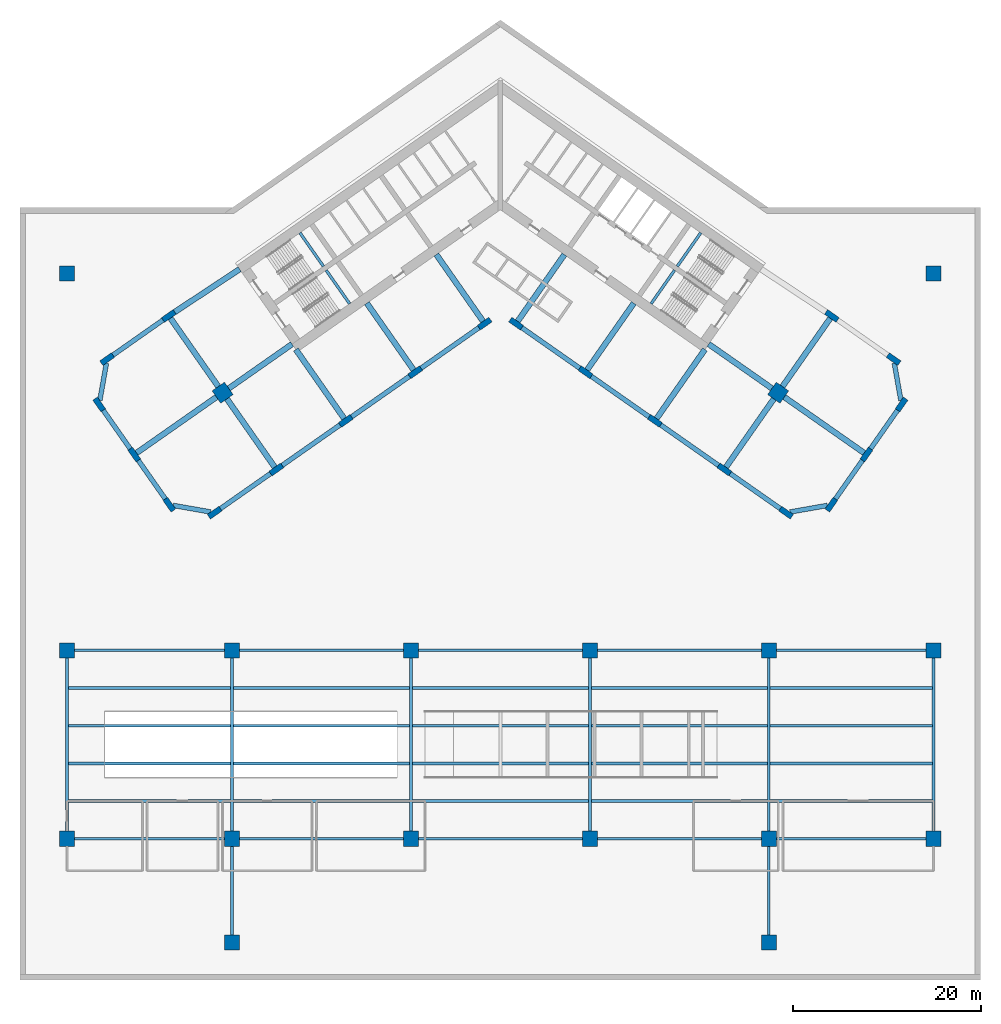
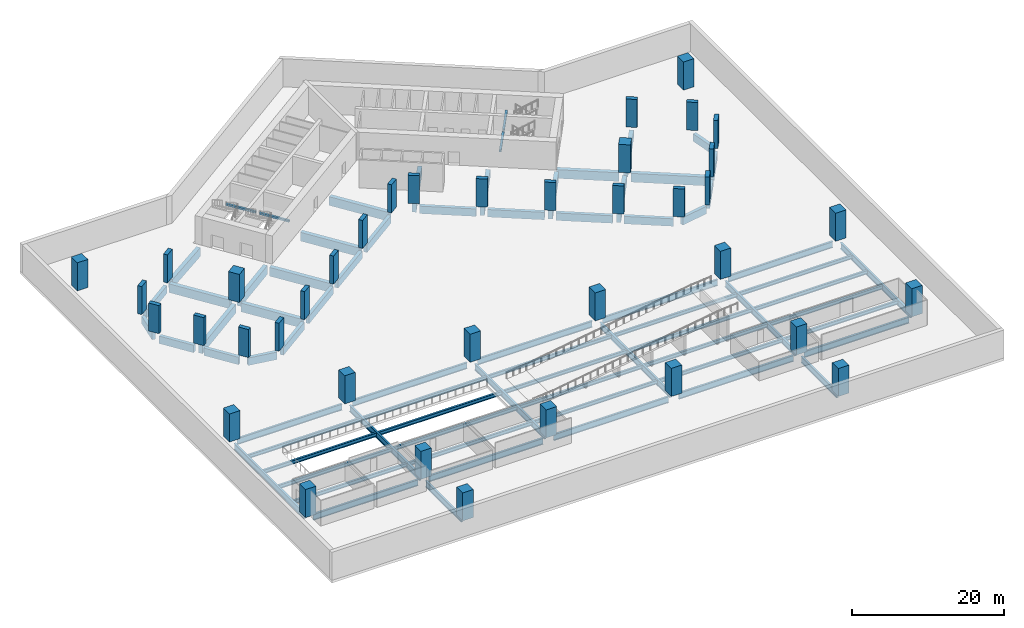
# One storey, part 1 of 11: 74 beams, 38 columns.
"""IFC4 building model written with IfcOpenShell, lengths in metres."""

from ifc_helpers import new_model, si_unit, direction, frame, origin, origin_2d, place, context, subcontext, project, spatial, rectangle, i_section, extrude, material, material_profile, profile_set, type_object, element, save


model = new_model("IFC4")

# Units and contexts
model_context = context("Model", 3, precision=1e-05, world=origin(), true_north=direction((0.0, 1.0)))
body_context = subcontext(model_context, "Body", "Model", "MODEL_VIEW")
ifc_project = project(units=[si_unit("LENGTHUNIT", "METRE"), si_unit("AREAUNIT", "SQUARE_METRE"), si_unit("VOLUMEUNIT", "CUBIC_METRE"), si_unit("PLANEANGLEUNIT", "RADIAN"), si_unit("MASSUNIT", "GRAM", prefix="KILO")], contexts=[model_context])

# Site, building, storey
site_placement = place(None, origin())
site = spatial("IfcSite", under=ifc_project, at=site_placement, CompositionType="ELEMENT")
building_placement = place(site_placement, origin())
building = spatial("IfcBuilding", under=site, at=building_placement, Name="Tel Ilan Convention Tower", CompositionType="ELEMENT")
storey_placement = place(building_placement, frame((0.0, 0.0, -4.5)))
storey = spatial("IfcBuildingStorey", under=building, at=storey_placement, Name="B1", CompositionType="ELEMENT", Elevation=-4.5)

# Columns
ifc_material_1 = material(Name="Concrete C60/75", Category="concrete")
ifc_material_profile_1 = material_profile(ifc_material_1, rectangle(XDim=1.60009765625, YDim=1.60009765625, at=origin_2d()), Name="RC 1600x1600")
ifc_profile_set_1 = profile_set([ifc_material_profile_1], Name="Concrete C60/75")
column_type_1 = type_object("IfcColumnType", Name="Column RC 1600x1600 C60/75", PredefinedType="COLUMN", material=ifc_profile_set_1)
for number, where, z_axis, x_axis, name in (
    (1, (-29.489501953125, -20.648681640625, 0.0), (0.0, 0.0, 1.0), (-0.819152044289, -0.573576436351, 0.0), "B1 column W-M4"),
    (2, (29.489501953125, -20.648681640625, 0.0), (0.0, 0.0, 1.0), (0.819152044289, -0.573576436351, 0.0), "B1 column E-M4"),
    (3, (-28.5, -79.0, 0.0), (0.0, 0.0, 1.0), (1.0, 0.0, 0.0), "B1 column PC12"),
    (4, (28.5, -79.0, 0.0), (0.0, 0.0, 1.0), (1.0, 0.0, 0.0), "B1 column PC15"),
    (5, (-46.0, -68.0, 0.0), (0.0, 0.0, 1.0), (1.0, 0.0, 0.0), "B1 column PC21"),
    (6, (-28.5, -68.0, 0.0), (0.0, 0.0, 1.0), (1.0, 0.0, 0.0), "B1 column PC22"),
    (7, (-9.5, -68.0, 0.0), (0.0, 0.0, 1.0), (1.0, 0.0, 0.0), "B1 column PC23"),
    (8, (9.5, -68.0, 0.0), (0.0, 0.0, 1.0), (1.0, 0.0, 0.0), "B1 column PC24"),
    (9, (28.5, -68.0, 0.0), (0.0, 0.0, 1.0), (1.0, 0.0, 0.0), "B1 column PC25"),
    (10, (46.0, -68.0, 0.0), (0.0, 0.0, 1.0), (1.0, 0.0, 0.0), "B1 column PC26"),
    (11, (-46.0, -48.0, 0.0), (0.0, 0.0, 1.0), (1.0, 0.0, 0.0), "B1 column PC31"),
    (12, (-28.5, -48.0, 0.0), (0.0, 0.0, 1.0), (1.0, 0.0, 0.0), "B1 column PC32"),
    (13, (-9.5, -48.0, 0.0), (0.0, 0.0, 1.0), (1.0, 0.0, 0.0), "B1 column PC33"),
    (14, (9.5, -48.0, 0.0), (0.0, 0.0, 1.0), (1.0, 0.0, 0.0), "B1 column PC34"),
    (15, (28.5, -48.0, 0.0), (0.0, 0.0, 1.0), (1.0, 0.0, 0.0), "B1 column PC35"),
    (16, (46.0, -48.0, 0.0), (0.0, 0.0, 1.0), (1.0, 0.0, 0.0), "B1 column PC36"),
    (17, (-46.0, -8.0, 0.0), (0.0, 0.0, 1.0), (1.0, 0.0, 0.0), "B1 column PC51"),
    (18, (46.0, -8.0, 0.0), (0.0, 0.0, 1.0), (1.0, 0.0, 0.0), "B1 column PC56"),
):
    element("IfcColumn", number, at=place(storey_placement, frame(where, z_axis=z_axis, x_axis=x_axis)), inside=storey, type_object=column_type_1, Name=name, PredefinedType="COLUMN", context=body_context, shape_type="SweptSolid", body=[
        extrude(rectangle(XDim=1.60009765625, YDim=1.60009765625, at=origin_2d()), origin(), (0.0, 0.0, 1.0), 4.5),
    ])
ifc_material_2 = material(Name="Concrete C60/75", Category="concrete")
ifc_material_profile_2 = material_profile(ifc_material_2, rectangle(XDim=1.5, YDim=0.60009765625, at=origin_2d()), Name="RC 600x1500")
ifc_profile_set_2 = profile_set([ifc_material_profile_2], Name="Concrete C60/75")
column_type_2 = type_object("IfcColumnType", Name="Column RC 600x1500 C60/75", PredefinedType="COLUMN", material=ifc_profile_set_2)
for number, where, z_axis, x_axis, name in (
    (19, (-1.665283203125, -13.312744140625, 0.0), (0.0, 0.0, 1.0), (-0.819152044289, -0.573576436351, 0.0), "B1 column W-F1"),
    (20, (-9.03759765625, -18.474853515625, 0.0), (0.0, 0.0, 1.0), (-0.819152044289, -0.573576436351, 0.0), "B1 column W-F2"),
    (21, (-16.409912109375, -23.63720703125, 0.0), (0.0, 0.0, 1.0), (-0.819152044289, -0.573576436351, 0.0), "B1 column W-F3"),
    (22, (-23.782470703125, -28.79931640625, 0.0), (0.0, 0.0, 1.0), (-0.819152044289, -0.573576436351, 0.0), "B1 column W-F4"),
    (23, (-30.335693359375, -33.387939453125, 0.0), (0.0, 0.0, 1.0), (-0.819152044289, -0.573576436351, 0.0), "B1 column W-FC"),
    (24, (-35.196533203125, -12.498291015625, 0.0), (0.0, 0.0, 1.0), (-0.819152044289, -0.573576436351, 0.0), "B1 column W-B4"),
    (25, (-41.749755859375, -17.0869140625, 0.0), (0.0, 0.0, 1.0), (-0.819152044289, -0.573576436351, 0.0), "B1 column W-BC"),
    (26, (-35.140380859375, -32.540771484375, 0.0), (0.0, 0.0, 1.0), (-0.573576436351, 0.819152044289, 0.0), "B1 column W-E1"),
    (27, (-38.868896484375, -27.21630859375, 0.0), (0.0, 0.0, 1.0), (-0.573576436351, 0.819152044289, 0.0), "B1 column W-E2"),
    (28, (-42.596923828125, -21.8916015625, 0.0), (0.0, 0.0, 1.0), (-0.573576436351, 0.819152044289, 0.0), "B1 column W-E3"),
    (29, (1.665283203125, -13.312744140625, 0.0), (0.0, 0.0, 1.0), (0.819152044289, -0.573576436351, 0.0), "B1 column E-F1"),
    (30, (9.03759765625, -18.474853515625, 0.0), (0.0, 0.0, 1.0), (0.819152044289, -0.573576436351, 0.0), "B1 column E-F2"),
    (31, (16.409912109375, -23.63720703125, 0.0), (0.0, 0.0, 1.0), (0.819152044289, -0.573576436351, 0.0), "B1 column E-F3"),
    (32, (23.782470703125, -28.79931640625, 0.0), (0.0, 0.0, 1.0), (0.819152044289, -0.573576436351, 0.0), "B1 column E-F4"),
    (33, (30.335693359375, -33.387939453125, 0.0), (0.0, 0.0, 1.0), (0.819152044289, -0.573576436351, 0.0), "B1 column E-FC"),
    (34, (35.196533203125, -12.498291015625, 0.0), (0.0, 0.0, 1.0), (0.819152044289, -0.573576436351, 0.0), "B1 column E-B4"),
    (35, (41.749755859375, -17.0869140625, 0.0), (0.0, 0.0, 1.0), (0.819152044289, -0.573576436351, 0.0), "B1 column E-BC"),
    (36, (35.140380859375, -32.540771484375, 0.0), (0.0, 0.0, 1.0), (0.573576436351, 0.819152044289, 0.0), "B1 column E-E1"),
    (37, (38.868896484375, -27.21630859375, 0.0), (0.0, 0.0, 1.0), (0.573576436351, 0.819152044289, 0.0), "B1 column E-E2"),
    (38, (42.596923828125, -21.8916015625, 0.0), (0.0, 0.0, 1.0), (0.573576436351, 0.819152044289, 0.0), "B1 column E-E3"),
):
    element("IfcColumn", number, at=place(storey_placement, frame(where, z_axis=z_axis, x_axis=x_axis)), inside=storey, type_object=column_type_2, Name=name, PredefinedType="COLUMN", context=body_context, shape_type="SweptSolid", body=[
        extrude(rectangle(XDim=1.5, YDim=0.60009765625, at=origin_2d()), origin(), (0.0, 0.0, 1.0), 4.5),
    ])

# Beams
ifc_material_3 = material(Name="Concrete C40/50", Category="concrete")
ifc_material_profile_3 = material_profile(ifc_material_3, rectangle(XDim=0.5, YDim=1.199951171875, at=origin_2d()), Name="RC 500x1200")
ifc_profile_set_3 = profile_set([ifc_material_profile_3], Name="Concrete C40/50")
beam_type_1 = type_object("IfcBeamType", Name="Beam RC 500x1200 Concrete C40/50", PredefinedType="BEAM", material=ifc_profile_set_3)
beam_1_placement = place(storey_placement, frame((-2.279541015625, -13.742919921875, -1.010009765625), z_axis=(-0.819147803225, -0.57358249317, 0.0), x_axis=(0.57358249317, -0.819147803225, 0.0)))
element("IfcBeam", 39, at=beam_1_placement, inside=storey, type_object=beam_type_1, Name="B1 beam W-W-F1-W-F2", PredefinedType="BEAM", context=body_context, shape_type="SweptSolid", body=[
    extrude(rectangle(XDim=0.5, YDim=1.199951171875, at=origin_2d()), origin(), (0.0, 0.0, 1.0), 7.500244140625),
])
for number, where, z_axis, x_axis, name in (
    (40, (-9.652099609375, -18.905029296875, -1.010009765625), (-0.81915238829, -0.573575945067, 0.0), (0.573575945067, -0.81915238829, 0.0), "B1 beam W-W-F2-W-F3"),
    (41, (-17.0244140625, -24.0673828125, -1.010009765625), (-0.81915238829, -0.573575945067, 0.0), (0.573575945067, -0.81915238829, 0.0), "B1 beam W-W-F3-W-F4"),
):
    element("IfcBeam", number, at=place(storey_placement, frame(where, z_axis=z_axis, x_axis=x_axis)), inside=storey, type_object=beam_type_1, Name=name, PredefinedType="BEAM", context=body_context, shape_type="SweptSolid", body=[
        extrude(rectangle(XDim=0.5, YDim=1.199951171875, at=origin_2d()), origin(), (0.0, 0.0, 1.0), 7.5),
    ])
beam_2_placement = place(storey_placement, frame((-24.396728515625, -29.2294921875, -1.010009765625), z_axis=(-0.819148977158, -0.573580816643, 0.0), x_axis=(0.573580816643, -0.819148977158, 0.0)))
element("IfcBeam", 42, at=beam_2_placement, inside=storey, type_object=beam_type_1, Name="B1 beam W-W-F4-W-FC", PredefinedType="BEAM", context=body_context, shape_type="SweptSolid", body=[
    extrude(rectangle(XDim=0.5, YDim=1.199951171875, at=origin_2d()), origin(), (0.0, 0.0, 1.0), 6.5),
])
beam_3_placement = place(storey_placement, frame((-30.75341796875, -33.314208984375, -1.010009765625), z_axis=(-0.984815252405, 0.173605641124, 0.0), x_axis=(-0.173605641124, -0.984815252405, 0.0)))
element("IfcBeam", 43, at=beam_3_placement, inside=storey, type_object=beam_type_1, Name="B1 beam W-W-FC-W-E1", PredefinedType="BEAM", context=body_context, shape_type="SweptSolid", body=[
    extrude(rectangle(XDim=0.5, YDim=1.199951171875, at=origin_2d()), origin(), (0.0, 0.0, 1.0), 4.030517578125),
])
for number, where, z_axis, x_axis, name in (
    (44, (-35.57080078125, -31.92626953125, -1.010009765625), (-0.573586866468, 0.819144740944, 0.0), (-0.819144740944, -0.573586866468, 0.0), "B1 beam W-W-E1-W-E2"),
    (45, (-39.298828125, -26.601806640625, -1.010009765625), (-0.573586866468, 0.819144740944, 0.0), (-0.819144740944, -0.573586866468, 0.0), "B1 beam W-W-E2-W-E3"),
):
    element("IfcBeam", number, at=place(storey_placement, frame(where, z_axis=z_axis, x_axis=x_axis)), inside=storey, type_object=beam_type_1, Name=name, PredefinedType="BEAM", context=body_context, shape_type="SweptSolid", body=[
        extrude(rectangle(XDim=0.5, YDim=1.199951171875, at=origin_2d()), origin(), (0.0, 0.0, 1.0), 5.0),
    ])
beam_4_placement = place(storey_placement, frame((-42.523193359375, -21.473876953125, -1.010009765625), z_axis=(0.173605641124, 0.984815252405, 0.0), x_axis=(-0.984815252405, 0.173605641124, 0.0)))
element("IfcBeam", 46, at=beam_4_placement, inside=storey, type_object=beam_type_1, Name="B1 beam W-W-E3-W-BC", PredefinedType="BEAM", context=body_context, shape_type="SweptSolid", body=[
    extrude(rectangle(XDim=0.5, YDim=1.199951171875, at=origin_2d()), origin(), (0.0, 0.0, 1.0), 4.030517578125),
])
beam_5_placement = place(storey_placement, frame((-41.135498046875, -16.656494140625, -1.010009765625), z_axis=(0.819178980414, 0.573537965655, 0.0), x_axis=(-0.573537965655, 0.819178980414, 0.0)))
element("IfcBeam", 47, at=beam_5_placement, inside=storey, type_object=beam_type_1, Name="B1 beam W-W-BC-W-B4", PredefinedType="BEAM", context=body_context, shape_type="SweptSolid", body=[
    extrude(rectangle(XDim=0.5, YDim=1.199951171875, at=origin_2d()), origin(), (0.0, 0.0, 1.0), 6.5),
])
beam_6_placement = place(storey_placement, frame((2.279541015625, -13.742919921875, -1.010009765625), z_axis=(0.819147803225, -0.57358249317, 0.0), x_axis=(0.57358249317, 0.819147803225, 0.0)))
element("IfcBeam", 48, at=beam_6_placement, inside=storey, type_object=beam_type_1, Name="B1 beam E-E-F1-E-F2", PredefinedType="BEAM", context=body_context, shape_type="SweptSolid", body=[
    extrude(rectangle(XDim=0.5, YDim=1.199951171875, at=origin_2d()), origin(), (0.0, 0.0, 1.0), 7.500244140625),
])
for number, where, z_axis, x_axis, name in (
    (49, (9.652099609375, -18.905029296875, -1.010009765625), (0.81915238829, -0.573575945067, 0.0), (0.573575945067, 0.81915238829, 0.0), "B1 beam E-E-F2-E-F3"),
    (50, (17.0244140625, -24.0673828125, -1.010009765625), (0.81915238829, -0.573575945067, 0.0), (0.573575945067, 0.81915238829, 0.0), "B1 beam E-E-F3-E-F4"),
):
    element("IfcBeam", number, at=place(storey_placement, frame(where, z_axis=z_axis, x_axis=x_axis)), inside=storey, type_object=beam_type_1, Name=name, PredefinedType="BEAM", context=body_context, shape_type="SweptSolid", body=[
        extrude(rectangle(XDim=0.5, YDim=1.199951171875, at=origin_2d()), origin(), (0.0, 0.0, 1.0), 7.5),
    ])
beam_7_placement = place(storey_placement, frame((24.396728515625, -29.2294921875, -1.010009765625), z_axis=(0.819148977158, -0.573580816643, 0.0), x_axis=(0.573580816643, 0.819148977158, 0.0)))
element("IfcBeam", 51, at=beam_7_placement, inside=storey, type_object=beam_type_1, Name="B1 beam E-E-F4-E-FC", PredefinedType="BEAM", context=body_context, shape_type="SweptSolid", body=[
    extrude(rectangle(XDim=0.5, YDim=1.199951171875, at=origin_2d()), origin(), (0.0, 0.0, 1.0), 6.5),
])
beam_8_placement = place(storey_placement, frame((30.75341796875, -33.314208984375, -1.010009765625), z_axis=(0.984815252405, 0.173605641124, 0.0), x_axis=(-0.173605641124, 0.984815252405, 0.0)))
element("IfcBeam", 52, at=beam_8_placement, inside=storey, type_object=beam_type_1, Name="B1 beam E-E-FC-E-E1", PredefinedType="BEAM", context=body_context, shape_type="SweptSolid", body=[
    extrude(rectangle(XDim=0.5, YDim=1.199951171875, at=origin_2d()), origin(), (0.0, 0.0, 1.0), 4.030517578125),
])
for number, where, z_axis, x_axis, name in (
    (53, (35.57080078125, -31.92626953125, -1.010009765625), (0.573586866468, 0.819144740944, 0.0), (-0.819144740944, 0.573586866468, 0.0), "B1 beam E-E-E1-E-E2"),
    (54, (39.298828125, -26.601806640625, -1.010009765625), (0.573586866468, 0.819144740944, 0.0), (-0.819144740944, 0.573586866468, 0.0), "B1 beam E-E-E2-E-E3"),
):
    element("IfcBeam", number, at=place(storey_placement, frame(where, z_axis=z_axis, x_axis=x_axis)), inside=storey, type_object=beam_type_1, Name=name, PredefinedType="BEAM", context=body_context, shape_type="SweptSolid", body=[
        extrude(rectangle(XDim=0.5, YDim=1.199951171875, at=origin_2d()), origin(), (0.0, 0.0, 1.0), 5.0),
    ])
beam_9_placement = place(storey_placement, frame((42.523193359375, -21.473876953125, -1.010009765625), z_axis=(-0.173605641124, 0.984815252405, 0.0), x_axis=(-0.984815252405, -0.173605641124, 0.0)))
element("IfcBeam", 55, at=beam_9_placement, inside=storey, type_object=beam_type_1, Name="B1 beam E-E-E3-E-BC", PredefinedType="BEAM", context=body_context, shape_type="SweptSolid", body=[
    extrude(rectangle(XDim=0.5, YDim=1.199951171875, at=origin_2d()), origin(), (0.0, 0.0, 1.0), 4.030517578125),
])
ifc_material_4 = material(Name="Concrete C40/50", Category="concrete")
ifc_material_profile_4 = material_profile(ifc_material_4, rectangle(XDim=0.60009765625, YDim=1.39990234375, at=origin_2d()), Name="RC 600x1400")
ifc_profile_set_4 = profile_set([ifc_material_profile_4], Name="Concrete C40/50")
beam_type_2 = type_object("IfcBeamType", Name="Beam RC 600x1400 Concrete C40/50", PredefinedType="BEAM", material=ifc_profile_set_4)
beam_10_placement = place(storey_placement, frame((-34.570556640625, -12.08447265625, -1.110107421875), z_axis=(0.834273603487, 0.551350663847, 0.0), x_axis=(-0.551350663847, 0.834273603487, 0.0)))
element("IfcBeam", 56, at=beam_10_placement, inside=storey, type_object=beam_type_2, Name="B1 beam W-W-B4-core", PredefinedType="BEAM", context=body_context, shape_type="SweptSolid", body=[
    extrude(rectangle(XDim=0.60009765625, YDim=1.39990234375, at=origin_2d()), origin(), (0.0, 0.0, 1.0), 8.2529296875),
])
for number, where, z_axis, x_axis, name in (
    (57, (-1.83740234375, -13.06689453125, -1.110107421875), (-0.573574099654, 0.819153680457, 0.0), (-0.819153680457, -0.573574099654, 0.0), "B1 beam W-W-F1-core"),
    (58, (-9.209716796875, -18.229248046875, -1.110107421875), (-0.573574099654, 0.819153680457, 0.0), (-0.819153680457, -0.573574099654, 0.0), "B1 beam W-W-F2-core"),
):
    element("IfcBeam", number, at=place(storey_placement, frame(where, z_axis=z_axis, x_axis=x_axis)), inside=storey, type_object=beam_type_2, Name=name, PredefinedType="BEAM", context=body_context, shape_type="SweptSolid", body=[
        extrude(rectangle(XDim=0.60009765625, YDim=1.39990234375, at=origin_2d()), origin(), (0.0, 0.0, 1.0), 8.64990234375),
    ])
beam_11_placement = place(storey_placement, frame((-16.58203125, -23.391357421875, -1.110107421875), z_axis=(-0.573584999642, 0.819146048141, 0.0), x_axis=(-0.819146048141, -0.573584999642, 0.0)))
element("IfcBeam", 59, at=beam_11_placement, inside=storey, type_object=beam_type_2, Name="B1 beam W-W-F3-core", PredefinedType="BEAM", context=body_context, shape_type="SweptSolid", body=[
    extrude(rectangle(XDim=0.60009765625, YDim=1.39990234375, at=origin_2d()), origin(), (0.0, 0.0, 1.0), 8.949951171875),
])
beam_12_placement = place(storey_placement, frame((-22.1171875, -15.486572265625, -1.110107421875), z_axis=(-0.819149386388, -0.573580232209, 0.0), x_axis=(0.573580232209, -0.819149386388, 0.0)))
element("IfcBeam", 60, at=beam_12_placement, inside=storey, type_object=beam_type_2, Name="B1 beam W-core-W-M4", PredefinedType="BEAM", context=body_context, shape_type="SweptSolid", body=[
    extrude(rectangle(XDim=0.60009765625, YDim=1.39990234375, at=origin_2d()), origin(), (0.0, 0.0, 1.0), 8.199951171875),
])
beam_13_placement = place(storey_placement, frame((-30.144775390625, -21.107666015625, -1.110107421875), z_axis=(-0.819153232147, -0.573574739911, 0.0), x_axis=(0.573574739911, -0.819153232147, 0.0)))
element("IfcBeam", 61, at=beam_13_placement, inside=storey, type_object=beam_type_2, Name="B1 beam W-W-M4-end", PredefinedType="BEAM", context=body_context, shape_type="SweptSolid", body=[
    extrude(rectangle(XDim=0.60009765625, YDim=1.39990234375, at=origin_2d()), origin(), (0.0, 0.0, 1.0), 10.35009765625),
])
beam_14_placement = place(storey_placement, frame((-29.030517578125, -21.30419921875, -1.110107421875), z_axis=(0.573558616729, -0.819164521434, 0.0), x_axis=(0.819164521434, 0.573558616729, 0.0)))
element("IfcBeam", 62, at=beam_14_placement, inside=storey, type_object=beam_type_2, Name="B1 beam W-W-M4-W-F4", PredefinedType="BEAM", context=body_context, shape_type="SweptSolid", body=[
    extrude(rectangle(XDim=0.60009765625, YDim=1.39990234375, at=origin_2d()), origin(), (0.0, 0.0, 1.0), 8.849853515625),
])
beam_15_placement = place(storey_placement, frame((-29.9482421875, -19.993408203125, -1.110107421875), z_axis=(-0.573577127921, 0.819151560046, 0.0), x_axis=(-0.819151560046, -0.573577127921, 0.0)))
element("IfcBeam", 63, at=beam_15_placement, inside=storey, type_object=beam_type_2, Name="B1 beam W-W-M4-W-B4", PredefinedType="BEAM", context=body_context, shape_type="SweptSolid", body=[
    extrude(rectangle(XDim=0.60009765625, YDim=1.39990234375, at=origin_2d()), origin(), (0.0, 0.0, 1.0), 8.85009765625),
])
for number, where, z_axis, x_axis, name in (
    (64, (1.83740234375, -13.06689453125, -1.110107421875), (0.573574099654, 0.819153680457, 0.0), (-0.819153680457, 0.573574099654, 0.0), "B1 beam E-E-F1-core"),
    (65, (9.209716796875, -18.229248046875, -1.110107421875), (0.573574099654, 0.819153680457, 0.0), (-0.819153680457, 0.573574099654, 0.0), "B1 beam E-E-F2-core"),
):
    element("IfcBeam", number, at=place(storey_placement, frame(where, z_axis=z_axis, x_axis=x_axis)), inside=storey, type_object=beam_type_2, Name=name, PredefinedType="BEAM", context=body_context, shape_type="SweptSolid", body=[
        extrude(rectangle(XDim=0.60009765625, YDim=1.39990234375, at=origin_2d()), origin(), (0.0, 0.0, 1.0), 8.64990234375),
    ])
beam_16_placement = place(storey_placement, frame((16.58203125, -23.391357421875, -1.110107421875), z_axis=(0.573584999642, 0.819146048141, 0.0), x_axis=(-0.819146048141, 0.573584999642, 0.0)))
element("IfcBeam", 66, at=beam_16_placement, inside=storey, type_object=beam_type_2, Name="B1 beam E-E-F3-core", PredefinedType="BEAM", context=body_context, shape_type="SweptSolid", body=[
    extrude(rectangle(XDim=0.60009765625, YDim=1.39990234375, at=origin_2d()), origin(), (0.0, 0.0, 1.0), 8.949951171875),
])
beam_17_placement = place(storey_placement, frame((22.1171875, -15.486572265625, -1.110107421875), z_axis=(0.819149386388, -0.573580232209, 0.0), x_axis=(0.573580232209, 0.819149386388, 0.0)))
element("IfcBeam", 67, at=beam_17_placement, inside=storey, type_object=beam_type_2, Name="B1 beam E-core-E-M4", PredefinedType="BEAM", context=body_context, shape_type="SweptSolid", body=[
    extrude(rectangle(XDim=0.60009765625, YDim=1.39990234375, at=origin_2d()), origin(), (0.0, 0.0, 1.0), 8.199951171875),
])
beam_18_placement = place(storey_placement, frame((30.144775390625, -21.107666015625, -1.110107421875), z_axis=(0.819153232147, -0.573574739911, 0.0), x_axis=(0.573574739911, 0.819153232147, 0.0)))
element("IfcBeam", 68, at=beam_18_placement, inside=storey, type_object=beam_type_2, Name="B1 beam E-E-M4-end", PredefinedType="BEAM", context=body_context, shape_type="SweptSolid", body=[
    extrude(rectangle(XDim=0.60009765625, YDim=1.39990234375, at=origin_2d()), origin(), (0.0, 0.0, 1.0), 10.35009765625),
])
beam_19_placement = place(storey_placement, frame((29.030517578125, -21.30419921875, -1.110107421875), z_axis=(-0.573558616729, -0.819164521434, 0.0), x_axis=(0.819164521434, -0.573558616729, 0.0)))
element("IfcBeam", 69, at=beam_19_placement, inside=storey, type_object=beam_type_2, Name="B1 beam E-E-M4-E-F4", PredefinedType="BEAM", context=body_context, shape_type="SweptSolid", body=[
    extrude(rectangle(XDim=0.60009765625, YDim=1.39990234375, at=origin_2d()), origin(), (0.0, 0.0, 1.0), 8.849853515625),
])
beam_20_placement = place(storey_placement, frame((29.9482421875, -19.993408203125, -1.110107421875), z_axis=(0.573577127921, 0.819151560046, 0.0), x_axis=(-0.819151560046, 0.573577127921, 0.0)))
element("IfcBeam", 70, at=beam_20_placement, inside=storey, type_object=beam_type_2, Name="B1 beam E-E-M4-E-B4", PredefinedType="BEAM", context=body_context, shape_type="SweptSolid", body=[
    extrude(rectangle(XDim=0.60009765625, YDim=1.39990234375, at=origin_2d()), origin(), (0.0, 0.0, 1.0), 8.85009765625),
])
ifc_material_5 = material(Name="Steel S355", Category="steel")
ifc_material_profile_5 = material_profile(ifc_material_5, i_section(OverallWidth=0.300048828125, OverallDepth=1.0, WebThickness=0.01904296875, FlangeThickness=0.035888671875, FilletRadius=0.030029296875, at=origin_2d()), Name="HEB 1000")
ifc_profile_set_5 = profile_set([ifc_material_profile_5], Name="Steel S355")
beam_type_3 = type_object("IfcBeamType", Name="Girder HEB 1000 Steel S355", PredefinedType="BEAM", material=ifc_profile_set_5)
beam_21_placement = place(storey_placement, frame((-45.199951171875, -68.0, -0.909912109375), z_axis=(1.0, 0.0, 0.0), x_axis=(0.0, 1.0, 0.0)))
element("IfcBeam", 71, at=beam_21_placement, inside=storey, type_object=beam_type_3, Name="B1 beam GX21-2", PredefinedType="BEAM", context=body_context, shape_type="SweptSolid", body=[
    extrude(i_section(OverallWidth=0.300048828125, OverallDepth=1.0, WebThickness=0.01904296875, FlangeThickness=0.035888671875, FilletRadius=0.030029296875, at=origin_2d()), origin(), (0.0, 0.0, 1.0), 15.89990234375),
])
for number, where, z_axis, x_axis, name in (
    (72, (-27.699951171875, -68.0, -0.909912109375), (1.0, 0.0, 0.0), (0.0, 1.0, 0.0), "B1 beam GX22-3"),
    (73, (-8.699951171875, -68.0, -0.909912109375), (1.0, 0.0, 0.0), (0.0, 1.0, 0.0), "B1 beam GX23-4"),
    (74, (10.300048828125, -68.0, -0.909912109375), (1.0, 0.0, 0.0), (0.0, 1.0, 0.0), "B1 beam GX24-5"),
):
    element("IfcBeam", number, at=place(storey_placement, frame(where, z_axis=z_axis, x_axis=x_axis)), inside=storey, type_object=beam_type_3, Name=name, PredefinedType="BEAM", context=body_context, shape_type="SweptSolid", body=[
        extrude(i_section(OverallWidth=0.300048828125, OverallDepth=1.0, WebThickness=0.01904296875, FlangeThickness=0.035888671875, FilletRadius=0.030029296875, at=origin_2d()), origin(), (0.0, 0.0, 1.0), 17.39990234375),
    ])
for number, where, z_axis, x_axis, name in (
    (75, (29.300048828125, -68.0, -0.909912109375), (1.0, 0.0, 0.0), (0.0, 1.0, 0.0), "B1 beam GX25-6"),
    (76, (-45.199951171875, -48.0, -0.909912109375), (1.0, 0.0, 0.0), (0.0, 1.0, 0.0), "B1 beam GX31-2"),
):
    element("IfcBeam", number, at=place(storey_placement, frame(where, z_axis=z_axis, x_axis=x_axis)), inside=storey, type_object=beam_type_3, Name=name, PredefinedType="BEAM", context=body_context, shape_type="SweptSolid", body=[
        extrude(i_section(OverallWidth=0.300048828125, OverallDepth=1.0, WebThickness=0.01904296875, FlangeThickness=0.035888671875, FilletRadius=0.030029296875, at=origin_2d()), origin(), (0.0, 0.0, 1.0), 15.89990234375),
    ])
for number, where, z_axis, x_axis, name in (
    (77, (-27.699951171875, -48.0, -0.909912109375), (1.0, 0.0, 0.0), (0.0, 1.0, 0.0), "B1 beam GX32-3"),
    (78, (-8.699951171875, -48.0, -0.909912109375), (1.0, 0.0, 0.0), (0.0, 1.0, 0.0), "B1 beam GX33-4"),
    (79, (10.300048828125, -48.0, -0.909912109375), (1.0, 0.0, 0.0), (0.0, 1.0, 0.0), "B1 beam GX34-5"),
):
    element("IfcBeam", number, at=place(storey_placement, frame(where, z_axis=z_axis, x_axis=x_axis)), inside=storey, type_object=beam_type_3, Name=name, PredefinedType="BEAM", context=body_context, shape_type="SweptSolid", body=[
        extrude(i_section(OverallWidth=0.300048828125, OverallDepth=1.0, WebThickness=0.01904296875, FlangeThickness=0.035888671875, FilletRadius=0.030029296875, at=origin_2d()), origin(), (0.0, 0.0, 1.0), 17.39990234375),
    ])
beam_22_placement = place(storey_placement, frame((29.300048828125, -48.0, -0.909912109375), z_axis=(1.0, 0.0, 0.0), x_axis=(0.0, 1.0, 0.0)))
element("IfcBeam", 80, at=beam_22_placement, inside=storey, type_object=beam_type_3, Name="B1 beam GX35-6", PredefinedType="BEAM", context=body_context, shape_type="SweptSolid", body=[
    extrude(i_section(OverallWidth=0.300048828125, OverallDepth=1.0, WebThickness=0.01904296875, FlangeThickness=0.035888671875, FilletRadius=0.030029296875, at=origin_2d()), origin(), (0.0, 0.0, 1.0), 15.89990234375),
])
beam_23_placement = place(storey_placement, frame((-46.0, -67.199951171875, -0.909912109375), z_axis=(0.0, 1.0, 0.0), x_axis=(-1.0, 0.0, 0.0)))
element("IfcBeam", 81, at=beam_23_placement, inside=storey, type_object=beam_type_3, Name="B1 beam GY12-3", PredefinedType="BEAM", context=body_context, shape_type="SweptSolid", body=[
    extrude(i_section(OverallWidth=0.300048828125, OverallDepth=1.0, WebThickness=0.01904296875, FlangeThickness=0.035888671875, FilletRadius=0.030029296875, at=origin_2d()), origin(), (0.0, 0.0, 1.0), 18.39990234375),
])
beam_24_placement = place(storey_placement, frame((-28.5, -78.199951171875, -0.909912109375), z_axis=(0.0, 1.0, 0.0), x_axis=(-1.0, 0.0, 0.0)))
element("IfcBeam", 82, at=beam_24_placement, inside=storey, type_object=beam_type_3, Name="B1 beam GY21-2", PredefinedType="BEAM", context=body_context, shape_type="SweptSolid", body=[
    extrude(i_section(OverallWidth=0.300048828125, OverallDepth=1.0, WebThickness=0.01904296875, FlangeThickness=0.035888671875, FilletRadius=0.030029296875, at=origin_2d()), origin(), (0.0, 0.0, 1.0), 9.39990234375),
])
for number, where, z_axis, x_axis, name in (
    (83, (-28.5, -67.199951171875, -0.909912109375), (0.0, 1.0, 0.0), (-1.0, 0.0, 0.0), "B1 beam GY22-3"),
    (84, (-9.5, -67.199951171875, -0.909912109375), (0.0, 1.0, 0.0), (-1.0, 0.0, 0.0), "B1 beam GY32-3"),
    (85, (9.5, -67.199951171875, -0.909912109375), (0.0, 1.0, 0.0), (-1.0, 0.0, 0.0), "B1 beam GY42-3"),
):
    element("IfcBeam", number, at=place(storey_placement, frame(where, z_axis=z_axis, x_axis=x_axis)), inside=storey, type_object=beam_type_3, Name=name, PredefinedType="BEAM", context=body_context, shape_type="SweptSolid", body=[
        extrude(i_section(OverallWidth=0.300048828125, OverallDepth=1.0, WebThickness=0.01904296875, FlangeThickness=0.035888671875, FilletRadius=0.030029296875, at=origin_2d()), origin(), (0.0, 0.0, 1.0), 18.39990234375),
    ])
beam_25_placement = place(storey_placement, frame((28.5, -78.199951171875, -0.909912109375), z_axis=(0.0, 1.0, 0.0), x_axis=(-1.0, 0.0, 0.0)))
element("IfcBeam", 86, at=beam_25_placement, inside=storey, type_object=beam_type_3, Name="B1 beam GY51-2", PredefinedType="BEAM", context=body_context, shape_type="SweptSolid", body=[
    extrude(i_section(OverallWidth=0.300048828125, OverallDepth=1.0, WebThickness=0.01904296875, FlangeThickness=0.035888671875, FilletRadius=0.030029296875, at=origin_2d()), origin(), (0.0, 0.0, 1.0), 9.39990234375),
])
for number, where, z_axis, x_axis, name in (
    (87, (28.5, -67.199951171875, -0.909912109375), (0.0, 1.0, 0.0), (-1.0, 0.0, 0.0), "B1 beam GY52-3"),
    (88, (46.0, -67.199951171875, -0.909912109375), (0.0, 1.0, 0.0), (-1.0, 0.0, 0.0), "B1 beam GY62-3"),
):
    element("IfcBeam", number, at=place(storey_placement, frame(where, z_axis=z_axis, x_axis=x_axis)), inside=storey, type_object=beam_type_3, Name=name, PredefinedType="BEAM", context=body_context, shape_type="SweptSolid", body=[
        extrude(i_section(OverallWidth=0.300048828125, OverallDepth=1.0, WebThickness=0.01904296875, FlangeThickness=0.035888671875, FilletRadius=0.030029296875, at=origin_2d()), origin(), (0.0, 0.0, 1.0), 18.39990234375),
    ])
ifc_material_6 = material(Name="Steel S355", Category="steel")
ifc_material_profile_6 = material_profile(ifc_material_6, i_section(OverallWidth=0.300048828125, OverallDepth=0.60009765625, WebThickness=0.015380859375, FlangeThickness=0.030029296875, FilletRadius=0.027099609375, at=origin_2d()), Name="HEB 600")
ifc_profile_set_6 = profile_set([ifc_material_profile_6], Name="Steel S355")
beam_type_4 = type_object("IfcBeamType", Name="Joist HEB 600 Steel S355", PredefinedType="JOIST", material=ifc_profile_set_6)
for number, where, z_axis, x_axis, name in (
    (89, (-45.860107421875, -64.0, -0.7099609375), (1.0, 0.0, 0.0), (0.0, 1.0, 0.0), "B1 beam J1--68-1"),
    (90, (-45.860107421875, -60.0, -0.7099609375), (1.0, 0.0, 0.0), (0.0, 1.0, 0.0), "B1 beam J1--68-2"),
    (91, (-45.860107421875, -56.0, -0.7099609375), (1.0, 0.0, 0.0), (0.0, 1.0, 0.0), "B1 beam J1--68-3"),
    (92, (-45.860107421875, -52.0, -0.7099609375), (1.0, 0.0, 0.0), (0.0, 1.0, 0.0), "B1 beam J1--68-4"),
):
    element("IfcBeam", number, at=place(storey_placement, frame(where, z_axis=z_axis, x_axis=x_axis)), inside=storey, type_object=beam_type_4, Name=name, PredefinedType="JOIST", context=body_context, shape_type="SweptSolid", body=[
        extrude(i_section(OverallWidth=0.300048828125, OverallDepth=0.60009765625, WebThickness=0.015380859375, FlangeThickness=0.030029296875, FilletRadius=0.027099609375, at=origin_2d()), origin(), (0.0, 0.0, 1.0), 17.22021484375),
    ])
for number, where, z_axis, x_axis, name in (
    (93, (-28.360107421875, -64.0, -0.7099609375), (1.0, 0.0, 0.0), (0.0, 1.0, 0.0), "B1 beam J2--68-1"),
    (94, (-28.360107421875, -60.0, -0.7099609375), (1.0, 0.0, 0.0), (0.0, 1.0, 0.0), "B1 beam J2--68-2"),
    (95, (-28.360107421875, -56.0, -0.7099609375), (1.0, 0.0, 0.0), (0.0, 1.0, 0.0), "B1 beam J2--68-3"),
    (96, (-28.360107421875, -52.0, -0.7099609375), (1.0, 0.0, 0.0), (0.0, 1.0, 0.0), "B1 beam J2--68-4"),
    (97, (-9.360107421875, -64.0, -0.7099609375), (1.0, 0.0, 0.0), (0.0, 1.0, 0.0), "B1 beam J3--68-1"),
    (98, (-9.360107421875, -60.0, -0.7099609375), (1.0, 0.0, 0.0), (0.0, 1.0, 0.0), "B1 beam J3--68-2"),
    (99, (-9.360107421875, -56.0, -0.7099609375), (1.0, 0.0, 0.0), (0.0, 1.0, 0.0), "B1 beam J3--68-3"),
    (100, (-9.360107421875, -52.0, -0.7099609375), (1.0, 0.0, 0.0), (0.0, 1.0, 0.0), "B1 beam J3--68-4"),
    (101, (9.639892578125, -64.0, -0.7099609375), (1.0, 0.0, 0.0), (0.0, 1.0, 0.0), "B1 beam J4--68-1"),
    (102, (9.639892578125, -60.0, -0.7099609375), (1.0, 0.0, 0.0), (0.0, 1.0, 0.0), "B1 beam J4--68-2"),
    (103, (9.639892578125, -56.0, -0.7099609375), (1.0, 0.0, 0.0), (0.0, 1.0, 0.0), "B1 beam J4--68-3"),
    (104, (9.639892578125, -52.0, -0.7099609375), (1.0, 0.0, 0.0), (0.0, 1.0, 0.0), "B1 beam J4--68-4"),
):
    element("IfcBeam", number, at=place(storey_placement, frame(where, z_axis=z_axis, x_axis=x_axis)), inside=storey, type_object=beam_type_4, Name=name, PredefinedType="JOIST", context=body_context, shape_type="SweptSolid", body=[
        extrude(i_section(OverallWidth=0.300048828125, OverallDepth=0.60009765625, WebThickness=0.015380859375, FlangeThickness=0.030029296875, FilletRadius=0.027099609375, at=origin_2d()), origin(), (0.0, 0.0, 1.0), 18.72021484375),
    ])
for number, where, z_axis, x_axis, name in (
    (105, (28.639892578125, -64.0, -0.7099609375), (1.0, 0.0, 0.0), (0.0, 1.0, 0.0), "B1 beam J5--68-1"),
    (106, (28.639892578125, -60.0, -0.7099609375), (1.0, 0.0, 0.0), (0.0, 1.0, 0.0), "B1 beam J5--68-2"),
    (107, (28.639892578125, -56.0, -0.7099609375), (1.0, 0.0, 0.0), (0.0, 1.0, 0.0), "B1 beam J5--68-3"),
    (108, (28.639892578125, -52.0, -0.7099609375), (1.0, 0.0, 0.0), (0.0, 1.0, 0.0), "B1 beam J5--68-4"),
):
    element("IfcBeam", number, at=place(storey_placement, frame(where, z_axis=z_axis, x_axis=x_axis)), inside=storey, type_object=beam_type_4, Name=name, PredefinedType="JOIST", context=body_context, shape_type="SweptSolid", body=[
        extrude(i_section(OverallWidth=0.300048828125, OverallDepth=0.60009765625, WebThickness=0.015380859375, FlangeThickness=0.030029296875, FilletRadius=0.027099609375, at=origin_2d()), origin(), (0.0, 0.0, 1.0), 17.22021484375),
    ])
ifc_material_7 = material(Name="Concrete C40/50", Category="concrete")
ifc_material_profile_7 = material_profile(ifc_material_7, rectangle(XDim=0.300048828125, YDim=0.300048828125, at=origin_2d()), Name="RC 300x300")
ifc_profile_set_7 = profile_set([ifc_material_profile_7], Name="Concrete C40/50")
beam_type_5 = type_object("IfcBeamType", Name="Landing Beam RC 300x300 Concrete C40/50", PredefinedType="BEAM", material=ifc_profile_set_7)
for number, where, z_axis, x_axis, name in (
    (109, (-18.7841796875, -7.232177734375, 1.89990234375), (-0.57356780395, 0.819158088694, 0.0), (-0.819158088694, -0.57356780395, 0.0), "S1 landing beam B1.1"),
    (110, (-16.00244140625, -11.205078125, 1.89990234375), (-0.57356780395, 0.819158088694, 0.0), (-0.819158088694, -0.57356780395, 0.0), "S2 landing beam B1.1"),
    (111, (21.279296875, -3.668701171875, 1.89990234375), (-0.57356780395, -0.819158088694, 0.0), (0.819158088694, -0.57356780395, 0.0), "S3 landing beam B1.1"),
    (112, (18.49755859375, -7.6416015625, 1.89990234375), (-0.57356780395, -0.819158088694, 0.0), (0.819158088694, -0.57356780395, 0.0), "S4 landing beam B1.1"),
):
    element("IfcBeam", number, at=place(storey_placement, frame(where, z_axis=z_axis, x_axis=x_axis)), inside=storey, type_object=beam_type_5, Name=name, PredefinedType="BEAM", context=body_context, shape_type="SweptSolid", body=[
        extrude(rectangle(XDim=0.300048828125, YDim=0.300048828125, at=origin_2d()), origin(), (0.0, 0.0, 1.0), 4.35009765625),
    ])

save(model, "model.ifc")
